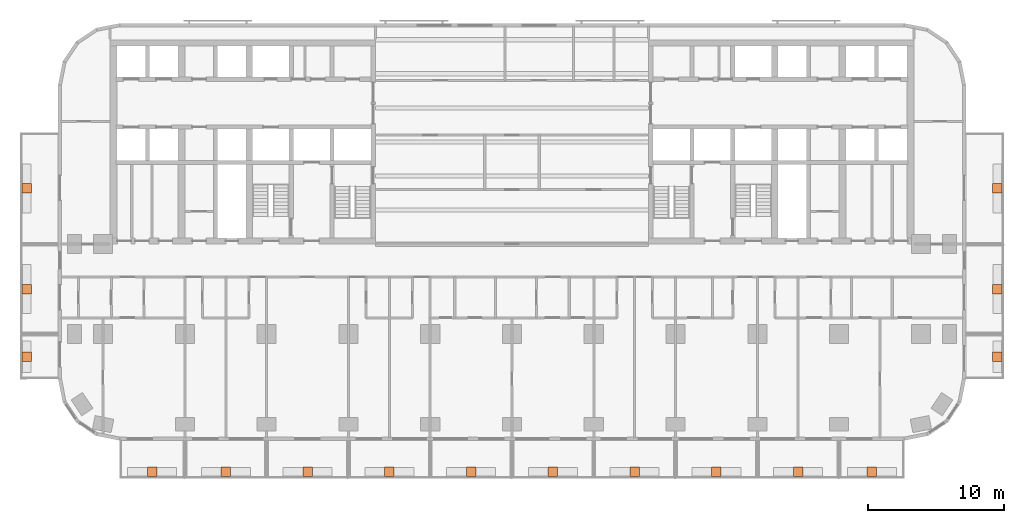
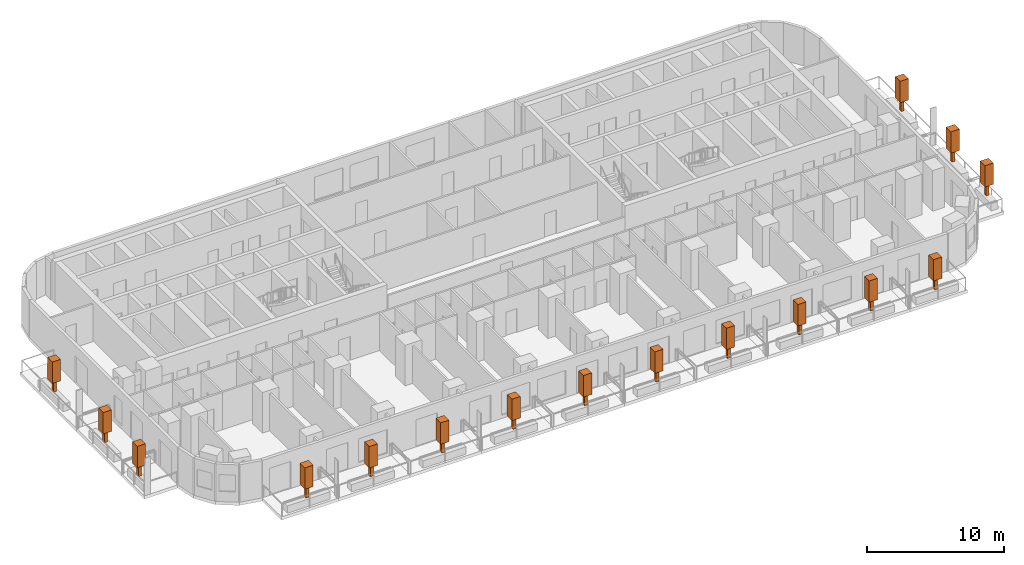
# One storey, part 15 of 15: 16 geographic elements.
"""IFC4 building model written with IfcOpenShell, lengths in metres."""

import ifcopenshell
import ifcopenshell.guid

model = None  # the IFC model being written
_history = None  # IfcOwnerHistory: only IFC2X3 demands one
_inside = {}  # id of a spatial element -> (the spatial element, [elements in it])
_under = {}  # id of a project, library or spatial element -> (it, [spatial elements below it])
_declared = {}  # id of a project -> (the project, [libraries it declares])
_typed = {}  # id of a type object -> (the type object, [elements of that type])
_made_of = {}  # id of a material, layer set ... -> (it, [elements and type objects made of it])


def new_model(schema):
    """Start an empty IFC model of exactly this schema.

    Asked for "IFC4X3", IfcOpenShell would pick the latest addendum, in which some entities
    have other attributes; the version numbers below select the first issue.
    IFC2X3 requires an IfcOwnerHistory on every rooted entity: one is made here for all.
    """
    global model, _history
    if schema == "IFC4X3":
        model = ifcopenshell.file(schema_version=(4, 3, 0, 0))
    else:
        model = ifcopenshell.file(schema=schema)
    _inside.clear()
    _under.clear()
    _declared.clear()
    _typed.clear()
    _made_of.clear()
    _history = None
    if model.schema == "IFC2X3":
        org = make("IfcOrganization", Name="unknown")
        user = make(
            "IfcPersonAndOrganization",
            ThePerson=make("IfcPerson", FamilyName="unknown"),
            TheOrganization=org,
        )
        app = make(
            "IfcApplication",
            ApplicationDeveloper=org,
            Version="unknown",
            ApplicationFullName="unknown",
            ApplicationIdentifier="unknown",
        )
        _history = make(
            "IfcOwnerHistory",
            OwningUser=user,
            OwningApplication=app,
            ChangeAction="ADDED",
            CreationDate=0,
        )
    return model


def make(cls, **values):
    """One entity of the class cls with the attributes given. An attribute that is None is left unset."""
    return model.create_entity(
        cls, **{name: value for name, value in values.items() if value is not None}
    )


def rooted(cls, **values):
    """An entity with a GlobalId (a new one), such as an element, a storey or a relation."""
    return make(cls, GlobalId=ifcopenshell.guid.new(), OwnerHistory=_history, **values)


def si_unit(unit_type, name, prefix=None):
    """IfcSIUnit, for example si_unit("LENGTHUNIT", "METRE", prefix="MILLI")."""
    return make("IfcSIUnit", UnitType=unit_type, Prefix=prefix, Name=name)


def assignment(units):
    """IfcUnitAssignment: the units of a project."""
    return None if units is None else make("IfcUnitAssignment", Units=units)


def point(xyz):
    """IfcCartesianPoint."""
    return None if xyz is None else make("IfcCartesianPoint", Coordinates=xyz)


def direction(xyz):
    """IfcDirection."""
    return None if xyz is None else make("IfcDirection", DirectionRatios=xyz)


def frame(location, z_axis=None, x_axis=None):
    """IfcAxis2Placement3D, a coordinate frame: its origin and axes. An axis left out is left unset."""
    return make(
        "IfcAxis2Placement3D",
        Location=point(location),
        Axis=direction(z_axis),
        RefDirection=direction(x_axis),
    )


def frame_2d(location, x_axis=None):
    """IfcAxis2Placement2D, a coordinate frame in the plane: its origin and x axis."""
    return make(
        "IfcAxis2Placement2D", Location=point(location), RefDirection=direction(x_axis)
    )


def origin():
    """The frame at (0, 0, 0) with its axes left unset."""
    return frame((0.0, 0.0, 0.0))


def origin_2d():
    """The frame at (0, 0) in the plane with its x axis left unset."""
    return frame_2d((0.0, 0.0))


def place(relative_to, where):
    """IfcLocalPlacement: puts the frame where relative to a parent placement (None: the world)."""
    return make(
        "IfcLocalPlacement", PlacementRelTo=relative_to, RelativePlacement=where
    )


def context(
    kind, dimensions, precision=None, world=None, true_north=None, identifier=None
):
    """IfcGeometricRepresentationContext, for example the 3D "Model" context."""
    return make(
        "IfcGeometricRepresentationContext",
        ContextIdentifier=identifier,
        ContextType=kind,
        CoordinateSpaceDimension=dimensions,
        Precision=precision,
        WorldCoordinateSystem=world,
        TrueNorth=true_north,
    )


def subcontext(parent, identifier, kind, view, scale=None):
    """IfcGeometricRepresentationSubContext, for example "Body" below "Model"."""
    return make(
        "IfcGeometricRepresentationSubContext",
        ContextIdentifier=identifier,
        ContextType=kind,
        ParentContext=parent,
        TargetScale=scale,
        TargetView=view,
    )


def project(units=None, contexts=None):
    """IfcProject with its units and contexts."""
    return rooted(
        "IfcProject",
        Name="project",
        RepresentationContexts=contexts,
        UnitsInContext=assignment(units),
    )


def spatial(cls, under=None, at=None, **own):
    """A site, building, storey or space (cls), placed at a placement, below another one or the project."""
    s = rooted(cls, ObjectPlacement=at, **own)
    if under is not None:
        _under.setdefault(under.id(), (under, []))[1].append(s)
    return s


def profile(cls, at=None, kind="AREA", **sizes):
    """A parametric profile (cls). Its sizes go by their IFC names, for example OverallWidth=200.0."""
    return make(cls, ProfileType=kind, Position=at, **sizes)


def rectangle(**sizes):
    """IfcRectangleProfileDef."""
    return profile("IfcRectangleProfileDef", **sizes)


def extrude(swept, where, along, depth):
    """IfcExtrudedAreaSolid: the profile swept, set in the frame where, extruded along a direction by depth."""
    return make(
        "IfcExtrudedAreaSolid",
        SweptArea=swept,
        Position=where,
        ExtrudedDirection=direction(along),
        Depth=depth,
    )


def shape(context_of_items, identifier, shape_type, items):
    """IfcShapeRepresentation: the items that make up one representation, for example the "Body"."""
    return make(
        "IfcShapeRepresentation",
        ContextOfItems=context_of_items,
        RepresentationIdentifier=identifier,
        RepresentationType=shape_type,
        Items=items,
    )


def material(Name=None, Category=None):
    """IfcMaterial."""
    return make("IfcMaterial", Name=Name, Category=Category)


def made_of(thing, what):
    """Note that an element or type object is made of a material, layer set ...; save() writes the relation."""
    if what is not None:
        _made_of.setdefault(what.id(), (what, []))[1].append(thing)
    return thing


def element(
    cls,
    number,
    at=None,
    inside=None,
    cuts=None,
    type_object=None,
    material=None,
    context=None,
    identifier="Body",
    shape_type=None,
    held_by="IfcProductDefinitionShape",
    body=None,
    shapes=None,
    **own,
):
    """One element of the class cls, such as IfcWall. Its Tag is "e" and its number.

    at: its placement. inside: the storey or other place that contains it. cuts: it is an
    opening in that element (IfcRelVoidsElement). A single representation is given by context,
    identifier, shape_type and body (its items); several are given by shapes. held_by: the class
    of the entity that holds the representations. save() writes the other relations.
    """
    e = rooted(cls, Tag="e%d" % number, ObjectPlacement=at, **own)
    if body is not None:
        shapes = [shape(context, identifier, shape_type, body)]
    if shapes is not None:
        e.Representation = make(held_by, Representations=shapes)
    if inside is not None:
        _inside.setdefault(inside.id(), (inside, []))[1].append(e)
    if cuts is not None:
        rooted(
            "IfcRelVoidsElement", RelatingBuildingElement=cuts, RelatedOpeningElement=e
        )
    if type_object is not None:
        _typed.setdefault(type_object.id(), (type_object, []))[1].append(e)
    return made_of(e, material)


def aggregate(whole, parts):
    """IfcRelAggregates: a whole, such as a stair, and the parts it consists of."""
    return rooted("IfcRelAggregates", RelatingObject=whole, RelatedObjects=parts)


def save(model, path):
    """Write the relations noted so far, then the file.

    IfcRelAggregates (storeys below a building ...), IfcRelContainedInSpatialStructure (elements
    in a storey), IfcRelDefinesByType, IfcRelAssociatesMaterial and IfcRelDeclares: one each for
    every whole, place, type object, material and project.
    """
    for whole, parts in _under.values():
        aggregate(whole, parts)
    for where, things in _inside.values():
        rooted(
            "IfcRelContainedInSpatialStructure",
            RelatedElements=things,
            RelatingStructure=where,
        )
    for kind, things in _typed.values():
        rooted("IfcRelDefinesByType", RelatedObjects=things, RelatingType=kind)
    for what, things in _made_of.values():
        rooted("IfcRelAssociatesMaterial", RelatedObjects=things, RelatingMaterial=what)
    for by, libraries in _declared.values():
        rooted("IfcRelDeclares", RelatingContext=by, RelatedDefinitions=libraries)
    model.write(path)


model = new_model("IFC4")

# Units and contexts
model_context = context("Model", 3, precision=1e-05, world=origin(), true_north=direction((0.0, 1.0)))
body_context = subcontext(model_context, "Body", "Model", "MODEL_VIEW")
ifc_project = project(units=[si_unit("LENGTHUNIT", "METRE"), si_unit("AREAUNIT", "SQUARE_METRE"), si_unit("VOLUMEUNIT", "CUBIC_METRE"), si_unit("PLANEANGLEUNIT", "RADIAN"), si_unit("MASSUNIT", "GRAM", prefix="KILO")], contexts=[model_context])

# Site, building, storey
site_placement = place(None, origin())
site = spatial("IfcSite", under=ifc_project, at=site_placement, CompositionType="ELEMENT")
building_placement = place(site_placement, origin())
building = spatial("IfcBuilding", under=site, at=building_placement, Name="Torana Hotel and Residences", CompositionType="ELEMENT")
storey_placement = place(building_placement, frame((0.0, 0.0, 45.60009765625)))
storey = spatial("IfcBuildingStorey", under=building, at=storey_placement, Name="L10", CompositionType="ELEMENT", Elevation=45.60009765625)

# Geographic elements
ifc_material = material(Name="Foliage", Category="planting")
for number, where, z_axis, x_axis, name in (
    (1, (-26.39990234375, -31.699951171875, 0.64990234375), (0.0, 0.0, 1.0), (1.0, 0.0, 0.0), "Tree 01"),
    (2, (-21.0, -31.699951171875, 0.64990234375), (0.0, 0.0, 1.0), (1.0, 0.0, 0.0), "Tree 02"),
    (3, (-15.0, -31.699951171875, 0.64990234375), (0.0, 0.0, 1.0), (1.0, 0.0, 0.0), "Tree 03"),
    (4, (-9.0, -31.699951171875, 0.64990234375), (0.0, 0.0, 1.0), (1.0, 0.0, 0.0), "Tree 04"),
    (5, (-3.0, -31.699951171875, 0.64990234375), (0.0, 0.0, 1.0), (1.0, 0.0, 0.0), "Tree 05"),
    (6, (3.0, -31.699951171875, 0.64990234375), (0.0, 0.0, 1.0), (1.0, 0.0, 0.0), "Tree 06"),
    (7, (9.0, -31.699951171875, 0.64990234375), (0.0, 0.0, 1.0), (1.0, 0.0, 0.0), "Tree 07"),
    (8, (15.0, -31.699951171875, 0.64990234375), (0.0, 0.0, 1.0), (1.0, 0.0, 0.0), "Tree 08"),
    (9, (21.0, -31.699951171875, 0.64990234375), (0.0, 0.0, 1.0), (1.0, 0.0, 0.0), "Tree 09"),
    (10, (26.39990234375, -31.699951171875, 0.64990234375), (0.0, 0.0, 1.0), (1.0, 0.0, 0.0), "Tree 10"),
    (11, (-35.60009765625, -23.25, 0.64990234375), (0.0, 0.0, 1.0), (1.0, 0.0, 0.0), "Tree 11"),
    (12, (-35.60009765625, -18.300048828125, 0.64990234375), (0.0, 0.0, 1.0), (1.0, 0.0, 0.0), "Tree 12"),
    (13, (-35.60009765625, -10.89990234375, 0.64990234375), (0.0, 0.0, 1.0), (1.0, 0.0, 0.0), "Tree 13"),
    (14, (35.60009765625, -23.25, 0.64990234375), (0.0, 0.0, 1.0), (1.0, 0.0, 0.0), "Tree 14"),
    (15, (35.60009765625, -18.300048828125, 0.64990234375), (0.0, 0.0, 1.0), (1.0, 0.0, 0.0), "Tree 15"),
    (16, (35.60009765625, -10.89990234375, 0.64990234375), (0.0, 0.0, 1.0), (1.0, 0.0, 0.0), "Tree 16"),
):
    element("IfcGeographicElement", number, at=place(storey_placement, frame(where, z_axis=z_axis, x_axis=x_axis)), inside=storey, material=ifc_material, Name=name, ObjectType="TREE", PredefinedType="USERDEFINED", context=body_context, shape_type="SweptSolid", body=[
        extrude(rectangle(XDim=0.25, YDim=0.25, at=origin_2d()), origin(), (0.0, 0.0, 1.0), 1.0),
        extrude(rectangle(XDim=0.699951171875, YDim=0.699951171875, at=origin_2d()), frame((0.0, 0.0, 1.0)), (0.0, 0.0, 1.0), 1.89990234375),
    ])

save(model, "model.ifc")
